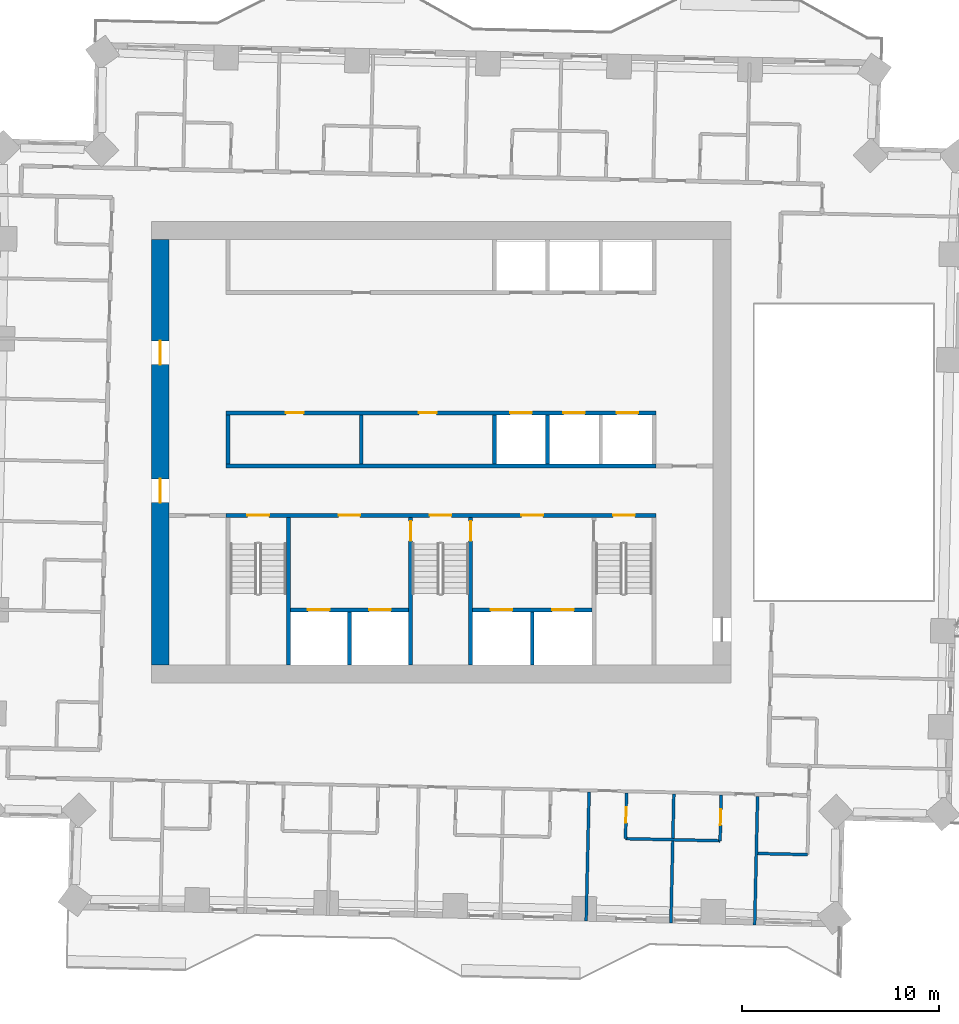
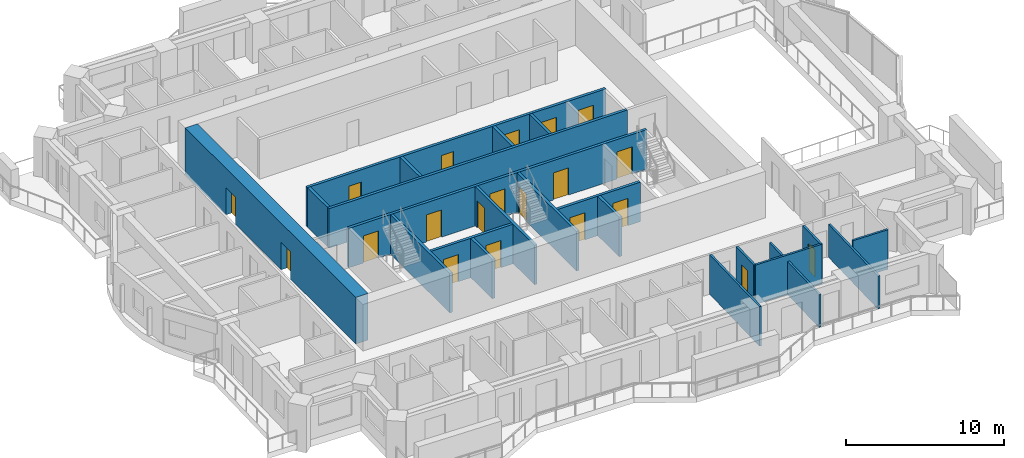
# One storey, part 6 of 14: 22 walls, 20 doors, 20 openings.
"""IFC4 building model written with IfcOpenShell, lengths in metres."""

from ifc_helpers import new_model, si_unit, direction, frame, frame_2d, origin, place, context, subcontext, project, spatial, rectangle, extrude, material, layer, layer_set, type_object, element, fill, save


model = new_model("IFC4")

# Units and contexts
model_context = context("Model", 3, precision=1e-05, world=origin(), true_north=direction((0.0, 1.0)))
body_context = subcontext(model_context, "Body", "Model", "MODEL_VIEW")
ifc_project = project(units=[si_unit("LENGTHUNIT", "METRE"), si_unit("AREAUNIT", "SQUARE_METRE"), si_unit("VOLUMEUNIT", "CUBIC_METRE"), si_unit("PLANEANGLEUNIT", "RADIAN"), si_unit("MASSUNIT", "GRAM", prefix="KILO")], contexts=[model_context])

# Site, building, storey
site_placement = place(None, origin())
site = spatial("IfcSite", under=ifc_project, at=site_placement, CompositionType="ELEMENT")
building_placement = place(site_placement, origin())
building = spatial("IfcBuilding", under=site, at=building_placement, Name="Mangrove Gate Tower", CompositionType="ELEMENT")
storey_placement = place(building_placement, frame((0.0, 0.0, 159.89990234375)))
storey = spatial("IfcBuildingStorey", under=building, at=storey_placement, Name="L40", CompositionType="ELEMENT", Elevation=159.89990234375)

# Walls
ifc_material_1 = material(Name="Concrete C32/40", Category="concrete")
ifc_layer_1 = layer(ifc_material_1, 0.199951171875)
ifc_layer_set_1 = layer_set([ifc_layer_1], Name="Core room wall 200 C32/40")
wall_type_1 = type_object("IfcWallType", Name="Core room wall 200 C32/40", PredefinedType="STANDARD", material=ifc_layer_set_1)
for number, where, z_axis, x_axis, name in (
    (1, (-10.800048828125, -0.60009765625, 0.0), (0.0, 0.0, 1.0), (0.0, 1.0, 0.0), "WALL-L40-CORE-19"),
    (2, (-4.050048828125, -0.60009765625, 0.0), (0.0, 0.0, 1.0), (0.0, 1.0, 0.0), "WALL-L40-CORE-20"),
):
    element("IfcWall", number, at=place(storey_placement, frame(where, z_axis=z_axis, x_axis=x_axis)), inside=storey, type_object=wall_type_1, Name=name, PredefinedType="STANDARD", context=body_context, shape_type="SweptSolid", body=[
        extrude(rectangle(XDim=2.5, YDim=0.199951171875, at=frame_2d((1.25, 0.0))), origin(), (0.0, 0.0, 1.0), 3.050048828125),
    ])
ifc_material_2 = material(Name="Concrete C60/75", Category="concrete")
ifc_layer_2 = layer(ifc_material_2, 0.199951171875)
ifc_layer_set_2 = layer_set([ifc_layer_2], Name="Core shaft wall 200 C60/75")
wall_type_2 = type_object("IfcWallType", Name="Core shaft wall 200 C60/75", PredefinedType="SHEAR", material=ifc_layer_set_2)
wall_1_placement = place(storey_placement, frame((-10.89990234375, -0.699951171875, 0.0), z_axis=(0.0, 0.0, 1.0), x_axis=(1.0, 0.0, 0.0)))
element("IfcWall", 3, at=wall_1_placement, inside=storey, type_object=wall_type_2, Name="WALL-L40-CORE-6", PredefinedType="SHEAR", context=body_context, shape_type="SweptSolid", body=[
    extrude(rectangle(XDim=21.7998046875, YDim=0.199951171875, at=frame_2d((10.89990234375, 0.0))), origin(), (0.0, 0.0, 1.0), 3.050048828125),
])

# Wall, openings, doors
wall_2_placement = place(storey_placement, frame((-10.89990234375, 2.0, 0.0), z_axis=(0.0, 0.0, 1.0), x_axis=(1.0, 0.0, 0.0)))
wall_2 = element("IfcWall", 4, at=wall_2_placement, inside=storey, type_object=wall_type_2, Name="WALL-L40-CORE-7", PredefinedType="SHEAR", context=body_context, shape_type="SweptSolid", body=[
    extrude(rectangle(XDim=21.7998046875, YDim=0.199951171875, at=frame_2d((10.89990234375, 0.0))), origin(), (0.0, 0.0, 1.0), 3.050048828125),
])
opening_1_placement = place(wall_2_placement, frame((14.39990234375, 0.0, 0.0)))
opening_1 = element("IfcOpeningElement", 5, at=opening_1_placement, cuts=wall_2, Name="Opening LD", PredefinedType="OPENING", context=body_context, shape_type="SweptSolid", body=[
    extrude(rectangle(XDim=1.10009765625, YDim=2.10009765625, at=frame_2d((0.550048828125, 1.050048828125))), frame((0.0, 0.10986328125, 0.0), z_axis=(0.0, -1.0, 0.0), x_axis=(1.0, 0.0, 0.0)), (0.0, 0.0, 1.0), 0.219970703125),
])
opening_2_placement = place(wall_2_placement, frame((17.10009765625, 0.0, 0.0)))
opening_2 = element("IfcOpeningElement", 6, at=opening_2_placement, cuts=wall_2, Name="Opening LD", PredefinedType="OPENING", context=body_context, shape_type="SweptSolid", body=[
    extrude(rectangle(XDim=1.10009765625, YDim=2.10009765625, at=frame_2d((0.550048828125, 1.050048828125))), frame((0.0, 0.10986328125, 0.0), z_axis=(0.0, -1.0, 0.0), x_axis=(1.0, 0.0, 0.0)), (0.0, 0.0, 1.0), 0.219970703125),
])
opening_3_placement = place(wall_2_placement, frame((19.800048828125, 0.0, 0.0)))
opening_3 = element("IfcOpeningElement", 7, at=opening_3_placement, cuts=wall_2, Name="Opening LD", PredefinedType="OPENING", context=body_context, shape_type="SweptSolid", body=[
    extrude(rectangle(XDim=1.10009765625, YDim=2.10009765625, at=frame_2d((0.550048828125, 1.050048828125))), frame((0.0, 0.10986328125, 0.0), z_axis=(0.0, -1.0, 0.0), x_axis=(1.0, 0.0, 0.0)), (0.0, 0.0, 1.0), 0.219970703125),
])
opening_4_placement = place(wall_2_placement, frame((3.02490234375, 0.0, 0.0)))
opening_4 = element("IfcOpeningElement", 8, at=opening_4_placement, cuts=wall_2, Name="Opening KD", PredefinedType="OPENING", context=body_context, shape_type="SweptSolid", body=[
    extrude(rectangle(XDim=0.89990234375, YDim=2.10009765625, at=frame_2d((0.449951171875, 1.050048828125))), frame((0.0, 0.10986328125, 0.0), z_axis=(0.0, -1.0, 0.0), x_axis=(1.0, 0.0, 0.0)), (0.0, 0.0, 1.0), 0.219970703125),
])
opening_5_placement = place(wall_2_placement, frame((9.77490234375, 0.0, 0.0)))
opening_5 = element("IfcOpeningElement", 9, at=opening_5_placement, cuts=wall_2, Name="Opening KD", PredefinedType="OPENING", context=body_context, shape_type="SweptSolid", body=[
    extrude(rectangle(XDim=0.89990234375, YDim=2.10009765625, at=frame_2d((0.449951171875, 1.050048828125))), frame((0.0, 0.10986328125, 0.0), z_axis=(0.0, -1.0, 0.0), x_axis=(1.0, 0.0, 0.0)), (0.0, 0.0, 1.0), 0.219970703125),
])
ifc_material_3 = material(Name="Fire-rated steel door set", Category="steel")
door_type_1 = type_object("IfcDoorType", Name="Core room door FD30S 900x2100", OperationType="SINGLE_SWING_RIGHT", PredefinedType="DOOR", material=ifc_material_3)
door_1_placement = place(opening_4_placement, origin())
door_1 = element("IfcDoor", 10, at=door_1_placement, inside=storey, type_object=door_type_1, Name="Core room door Pantry store", OperationType="SINGLE_SWING_RIGHT", OverallHeight=2.10009765625, OverallWidth=0.89990234375, PredefinedType="DOOR", context=body_context, shape_type="SweptSolid", body=[
    extrude(rectangle(XDim=0.89990234375, YDim=2.10009765625, at=frame_2d((0.449951171875, 1.050048828125))), frame((0.0, 0.02490234375, 0.0), z_axis=(0.0, -1.0, 0.0), x_axis=(1.0, 0.0, 0.0)), (0.0, 0.0, 1.0), 0.050048828125),
])
fill(opening_4, door_1)
door_2_placement = place(opening_5_placement, origin())
door_2 = element("IfcDoor", 11, at=door_2_placement, inside=storey, type_object=door_type_1, Name="Core room door Cleaner's store", OperationType="SINGLE_SWING_RIGHT", OverallHeight=2.10009765625, OverallWidth=0.89990234375, PredefinedType="DOOR", context=body_context, shape_type="SweptSolid", body=[
    extrude(rectangle(XDim=0.89990234375, YDim=2.10009765625, at=frame_2d((0.449951171875, 1.050048828125))), frame((0.0, 0.02490234375, 0.0), z_axis=(0.0, -1.0, 0.0), x_axis=(1.0, 0.0, 0.0)), (0.0, 0.0, 1.0), 0.050048828125),
])
fill(opening_5, door_2)
ifc_material_4 = material(Name="Stainless steel 316", Category="steel")
door_type_2 = type_object("IfcDoorType", Name="Lift landing door 1100x2100", OperationType="SLIDING_TO_LEFT", PredefinedType="DOOR", material=ifc_material_4)
door_3_placement = place(opening_1_placement, origin())
door_3 = element("IfcDoor", 12, at=door_3_placement, inside=storey, type_object=door_type_2, Name="Landing door LD M01", OperationType="SLIDING_TO_LEFT", OverallHeight=2.10009765625, OverallWidth=1.10009765625, PredefinedType="DOOR", context=body_context, shape_type="SweptSolid", body=[
    extrude(rectangle(XDim=1.10009765625, YDim=2.10009765625, at=frame_2d((0.550048828125, 1.050048828125))), frame((0.0, 0.02490234375, 0.0), z_axis=(0.0, -1.0, 0.0), x_axis=(1.0, 0.0, 0.0)), (0.0, 0.0, 1.0), 0.050048828125),
])
fill(opening_1, door_3)
door_4_placement = place(opening_2_placement, origin())
door_4 = element("IfcDoor", 13, at=door_4_placement, inside=storey, type_object=door_type_2, Name="Landing door LD M02", OperationType="SLIDING_TO_LEFT", OverallHeight=2.10009765625, OverallWidth=1.10009765625, PredefinedType="DOOR", context=body_context, shape_type="SweptSolid", body=[
    extrude(rectangle(XDim=1.10009765625, YDim=2.10009765625, at=frame_2d((0.550048828125, 1.050048828125))), frame((0.0, 0.02490234375, 0.0), z_axis=(0.0, -1.0, 0.0), x_axis=(1.0, 0.0, 0.0)), (0.0, 0.0, 1.0), 0.050048828125),
])
fill(opening_2, door_4)
door_5_placement = place(opening_3_placement, origin())
door_5 = element("IfcDoor", 14, at=door_5_placement, inside=storey, type_object=door_type_2, Name="Landing door LD M03", OperationType="SLIDING_TO_LEFT", OverallHeight=2.10009765625, OverallWidth=1.10009765625, PredefinedType="DOOR", context=body_context, shape_type="SweptSolid", body=[
    extrude(rectangle(XDim=1.10009765625, YDim=2.10009765625, at=frame_2d((0.550048828125, 1.050048828125))), frame((0.0, 0.02490234375, 0.0), z_axis=(0.0, -1.0, 0.0), x_axis=(1.0, 0.0, 0.0)), (0.0, 0.0, 1.0), 0.050048828125),
])
fill(opening_3, door_5)

wall_3_placement = place(storey_placement, frame((-7.64990234375, -8.0, 0.0), z_axis=(0.0, 0.0, 1.0), x_axis=(1.0, 0.0, 0.0)))
wall_3 = element("IfcWall", 15, at=wall_3_placement, inside=storey, type_object=wall_type_2, Name="WALL-L40-CORE-15", PredefinedType="SHEAR", context=body_context, shape_type="SweptSolid", body=[
    extrude(rectangle(XDim=6.0, YDim=0.199951171875, at=frame_2d((3.0, 0.0))), origin(), (0.0, 0.0, 1.0), 3.050048828125),
])
opening_6_placement = place(wall_3_placement, frame((0.89990234375, 0.0, 0.0)))
opening_6 = element("IfcOpeningElement", 16, at=opening_6_placement, cuts=wall_3, Name="Opening LD", PredefinedType="OPENING", context=body_context, shape_type="SweptSolid", body=[
    extrude(rectangle(XDim=1.10009765625, YDim=2.10009765625, at=frame_2d((0.550048828125, 1.050048828125))), frame((0.0, 0.10986328125, 0.0), z_axis=(0.0, -1.0, 0.0), x_axis=(1.0, 0.0, 0.0)), (0.0, 0.0, 1.0), 0.219970703125),
])
opening_7_placement = place(wall_3_placement, frame((4.0, 0.0, 0.0)))
opening_7 = element("IfcOpeningElement", 17, at=opening_7_placement, cuts=wall_3, Name="Opening LD", PredefinedType="OPENING", context=body_context, shape_type="SweptSolid", body=[
    extrude(rectangle(XDim=1.10009765625, YDim=2.10009765625, at=frame_2d((0.550048828125, 1.050048828125))), frame((0.0, 0.10986328125, 0.0), z_axis=(0.0, -1.0, 0.0), x_axis=(1.0, 0.0, 0.0)), (0.0, 0.0, 1.0), 0.219970703125),
])
door_6_placement = place(opening_6_placement, origin())
door_6 = element("IfcDoor", 18, at=door_6_placement, inside=storey, type_object=door_type_2, Name="Landing door LD SVL1", OperationType="SLIDING_TO_LEFT", OverallHeight=2.10009765625, OverallWidth=1.10009765625, PredefinedType="DOOR", context=body_context, shape_type="SweptSolid", body=[
    extrude(rectangle(XDim=1.10009765625, YDim=2.10009765625, at=frame_2d((0.550048828125, 1.050048828125))), frame((0.0, 0.02490234375, 0.0), z_axis=(0.0, -1.0, 0.0), x_axis=(1.0, 0.0, 0.0)), (0.0, 0.0, 1.0), 0.050048828125),
])
fill(opening_6, door_6)
door_7_placement = place(opening_7_placement, origin())
door_7 = element("IfcDoor", 19, at=door_7_placement, inside=storey, type_object=door_type_2, Name="Landing door LD SVL2", OperationType="SLIDING_TO_LEFT", OverallHeight=2.10009765625, OverallWidth=1.10009765625, PredefinedType="DOOR", context=body_context, shape_type="SweptSolid", body=[
    extrude(rectangle(XDim=1.10009765625, YDim=2.10009765625, at=frame_2d((0.550048828125, 1.050048828125))), frame((0.0, 0.02490234375, 0.0), z_axis=(0.0, -1.0, 0.0), x_axis=(1.0, 0.0, 0.0)), (0.0, 0.0, 1.0), 0.050048828125),
])
fill(opening_7, door_7)

# Wall
wall_4_placement = place(storey_placement, frame((-4.64990234375, -10.800048828125, 0.0), z_axis=(0.0, 0.0, 1.0), x_axis=(0.0, 1.0, 0.0)))
element("IfcWall", 20, at=wall_4_placement, inside=storey, type_object=wall_type_2, Name="WALL-L40-CORE-16", PredefinedType="SHEAR", context=body_context, shape_type="SweptSolid", body=[
    extrude(rectangle(XDim=2.699951171875, YDim=0.199951171875, at=frame_2d((1.35009765625, 0.0))), origin(), (0.0, 0.0, 1.0), 3.050048828125),
])

# Wall, openings, doors
wall_5_placement = place(storey_placement, frame((1.60009765625, -8.0, 0.0), z_axis=(0.0, 0.0, 1.0), x_axis=(1.0, 0.0, 0.0)))
wall_5 = element("IfcWall", 21, at=wall_5_placement, inside=storey, type_object=wall_type_2, Name="WALL-L40-CORE-17", PredefinedType="SHEAR", context=body_context, shape_type="SweptSolid", body=[
    extrude(rectangle(XDim=6.0498046875, YDim=0.199951171875, at=frame_2d((3.02490234375, 0.0))), origin(), (0.0, 0.0, 1.0), 3.050048828125),
])
opening_8_placement = place(wall_5_placement, frame((0.91259765625, 0.0, 0.0)))
opening_8 = element("IfcOpeningElement", 22, at=opening_8_placement, cuts=wall_5, Name="Opening LD", PredefinedType="OPENING", context=body_context, shape_type="SweptSolid", body=[
    extrude(rectangle(XDim=1.10009765625, YDim=2.10009765625, at=frame_2d((0.550048828125, 1.050048828125))), frame((0.0, 0.10986328125, 0.0), z_axis=(0.0, -1.0, 0.0), x_axis=(1.0, 0.0, 0.0)), (0.0, 0.0, 1.0), 0.219970703125),
])
opening_9_placement = place(wall_5_placement, frame((4.03759765625, 0.0, 0.0)))
opening_9 = element("IfcOpeningElement", 23, at=opening_9_placement, cuts=wall_5, Name="Opening LD", PredefinedType="OPENING", context=body_context, shape_type="SweptSolid", body=[
    extrude(rectangle(XDim=1.10009765625, YDim=2.10009765625, at=frame_2d((0.550048828125, 1.050048828125))), frame((0.0, 0.10986328125, 0.0), z_axis=(0.0, -1.0, 0.0), x_axis=(1.0, 0.0, 0.0)), (0.0, 0.0, 1.0), 0.219970703125),
])
door_8_placement = place(opening_8_placement, origin())
door_8 = element("IfcDoor", 24, at=door_8_placement, inside=storey, type_object=door_type_2, Name="Landing door LD FFL1", OperationType="SLIDING_TO_LEFT", OverallHeight=2.10009765625, OverallWidth=1.10009765625, PredefinedType="DOOR", context=body_context, shape_type="SweptSolid", body=[
    extrude(rectangle(XDim=1.10009765625, YDim=2.10009765625, at=frame_2d((0.550048828125, 1.050048828125))), frame((0.0, 0.02490234375, 0.0), z_axis=(0.0, -1.0, 0.0), x_axis=(1.0, 0.0, 0.0)), (0.0, 0.0, 1.0), 0.050048828125),
])
fill(opening_8, door_8)
door_9_placement = place(opening_9_placement, origin())
door_9 = element("IfcDoor", 25, at=door_9_placement, inside=storey, type_object=door_type_2, Name="Landing door LD FFL2", OperationType="SLIDING_TO_LEFT", OverallHeight=2.10009765625, OverallWidth=1.10009765625, PredefinedType="DOOR", context=body_context, shape_type="SweptSolid", body=[
    extrude(rectangle(XDim=1.10009765625, YDim=2.10009765625, at=frame_2d((0.550048828125, 1.050048828125))), frame((0.0, 0.02490234375, 0.0), z_axis=(0.0, -1.0, 0.0), x_axis=(1.0, 0.0, 0.0)), (0.0, 0.0, 1.0), 0.050048828125),
])
fill(opening_9, door_9)

# Walls
wall_6_placement = place(storey_placement, frame((4.625, -10.800048828125, 0.0), z_axis=(0.0, 0.0, 1.0), x_axis=(0.0, 1.0, 0.0)))
element("IfcWall", 26, at=wall_6_placement, inside=storey, type_object=wall_type_2, Name="WALL-L40-CORE-18", PredefinedType="SHEAR", context=body_context, shape_type="SweptSolid", body=[
    extrude(rectangle(XDim=2.699951171875, YDim=0.199951171875, at=frame_2d((1.35009765625, 0.0))), origin(), (0.0, 0.0, 1.0), 3.050048828125),
])
for number, where, z_axis, x_axis, name in (
    (27, (2.699951171875, -0.60009765625, 0.0), (0.0, 0.0, 1.0), (0.0, 1.0, 0.0), "WALL-L40-CORE-21"),
    (28, (5.39990234375, -0.60009765625, 0.0), (0.0, 0.0, 1.0), (0.0, 1.0, 0.0), "WALL-L40-CORE-22"),
):
    element("IfcWall", number, at=place(storey_placement, frame(where, z_axis=z_axis, x_axis=x_axis)), inside=storey, type_object=wall_type_2, Name=name, PredefinedType="SHEAR", context=body_context, shape_type="SweptSolid", body=[
        extrude(rectangle(XDim=2.5, YDim=0.199951171875, at=frame_2d((1.25, 0.0))), origin(), (0.0, 0.0, 1.0), 3.050048828125),
    ])

# Wall, openings, doors
ifc_material_5 = material(Name="Concrete C60/75", Category="concrete")
ifc_layer_3 = layer(ifc_material_5, 0.199951171875)
ifc_layer_set_3 = layer_set([ifc_layer_3], Name="Core stair wall 200 C60/75")
wall_type_3 = type_object("IfcWallType", Name="Core stair wall 200 C60/75", PredefinedType="SHEAR", material=ifc_layer_set_3)
wall_7_placement = place(storey_placement, frame((-10.89990234375, -3.199951171875, 0.0), z_axis=(0.0, 0.0, 1.0), x_axis=(1.0, 0.0, 0.0)))
wall_7 = element("IfcWall", 29, at=wall_7_placement, inside=storey, type_object=wall_type_3, Name="WALL-L40-CORE-5", PredefinedType="SHEAR", context=body_context, shape_type="SweptSolid", body=[
    extrude(rectangle(XDim=21.7998046875, YDim=0.199951171875, at=frame_2d((10.89990234375, 0.0))), origin(), (0.0, 0.0, 1.0), 3.050048828125),
])
opening_10_placement = place(wall_7_placement, frame((1.074951171875, 0.0, 0.0)))
opening_10 = element("IfcOpeningElement", 30, at=opening_10_placement, cuts=wall_7, Name="Opening STD11", PredefinedType="OPENING", context=body_context, shape_type="SweptSolid", body=[
    extrude(rectangle(XDim=1.10009765625, YDim=2.10009765625, at=frame_2d((0.550048828125, 1.050048828125))), frame((0.0, 0.10986328125, 0.0), z_axis=(0.0, -1.0, 0.0), x_axis=(1.0, 0.0, 0.0)), (0.0, 0.0, 1.0), 0.219970703125),
])
opening_11_placement = place(wall_7_placement, frame((10.324951171875, 0.0, 0.0)))
opening_11 = element("IfcOpeningElement", 31, at=opening_11_placement, cuts=wall_7, Name="Opening STD11", PredefinedType="OPENING", context=body_context, shape_type="SweptSolid", body=[
    extrude(rectangle(XDim=1.10009765625, YDim=2.10009765625, at=frame_2d((0.550048828125, 1.050048828125))), frame((0.0, 0.10986328125, 0.0), z_axis=(0.0, -1.0, 0.0), x_axis=(1.0, 0.0, 0.0)), (0.0, 0.0, 1.0), 0.219970703125),
])
opening_12_placement = place(wall_7_placement, frame((19.625, 0.0, 0.0)))
opening_12 = element("IfcOpeningElement", 32, at=opening_12_placement, cuts=wall_7, Name="Opening STD11", PredefinedType="OPENING", context=body_context, shape_type="SweptSolid", body=[
    extrude(rectangle(XDim=1.10009765625, YDim=2.10009765625, at=frame_2d((0.550048828125, 1.050048828125))), frame((0.0, 0.10986328125, 0.0), z_axis=(0.0, -1.0, 0.0), x_axis=(1.0, 0.0, 0.0)), (0.0, 0.0, 1.0), 0.219970703125),
])
opening_13_placement = place(wall_7_placement, frame((5.699951171875, 0.0, 0.0)))
opening_13 = element("IfcOpeningElement", 33, at=opening_13_placement, cuts=wall_7, Name="Opening FL", PredefinedType="OPENING", context=body_context, shape_type="SweptSolid", body=[
    extrude(rectangle(XDim=1.10009765625, YDim=2.10009765625, at=frame_2d((0.550048828125, 1.050048828125))), frame((0.0, 0.10986328125, 0.0), z_axis=(0.0, -1.0, 0.0), x_axis=(1.0, 0.0, 0.0)), (0.0, 0.0, 1.0), 0.219970703125),
])
opening_14_placement = place(wall_7_placement, frame((14.97509765625, 0.0, 0.0)))
opening_14 = element("IfcOpeningElement", 34, at=opening_14_placement, cuts=wall_7, Name="Opening FL", PredefinedType="OPENING", context=body_context, shape_type="SweptSolid", body=[
    extrude(rectangle(XDim=1.10009765625, YDim=2.10009765625, at=frame_2d((0.550048828125, 1.050048828125))), frame((0.0, 0.10986328125, 0.0), z_axis=(0.0, -1.0, 0.0), x_axis=(1.0, 0.0, 0.0)), (0.0, 0.0, 1.0), 0.219970703125),
])
ifc_material_6 = material(Name="Fire-rated steel door set", Category="steel")
door_type_3 = type_object("IfcDoorType", Name="Lobby door FD60 1100x2100", OperationType="SINGLE_SWING_LEFT", PredefinedType="DOOR", material=ifc_material_6)
door_10_placement = place(opening_13_placement, origin())
door_10 = element("IfcDoor", 35, at=door_10_placement, inside=storey, type_object=door_type_3, Name="Lobby door service lobby", OperationType="SINGLE_SWING_LEFT", OverallHeight=2.10009765625, OverallWidth=1.10009765625, PredefinedType="DOOR", context=body_context, shape_type="SweptSolid", body=[
    extrude(rectangle(XDim=1.10009765625, YDim=2.10009765625, at=frame_2d((0.550048828125, 1.050048828125))), frame((0.0, 0.02490234375, 0.0), z_axis=(0.0, -1.0, 0.0), x_axis=(1.0, 0.0, 0.0)), (0.0, 0.0, 1.0), 0.050048828125),
])
fill(opening_13, door_10)
door_11_placement = place(opening_14_placement, origin())
door_11 = element("IfcDoor", 36, at=door_11_placement, inside=storey, type_object=door_type_3, Name="Lobby door fire-fighting lobby", OperationType="SINGLE_SWING_LEFT", OverallHeight=2.10009765625, OverallWidth=1.10009765625, PredefinedType="DOOR", context=body_context, shape_type="SweptSolid", body=[
    extrude(rectangle(XDim=1.10009765625, YDim=2.10009765625, at=frame_2d((0.550048828125, 1.050048828125))), frame((0.0, 0.02490234375, 0.0), z_axis=(0.0, -1.0, 0.0), x_axis=(1.0, 0.0, 0.0)), (0.0, 0.0, 1.0), 0.050048828125),
])
fill(opening_14, door_11)
ifc_material_7 = material(Name="Fire-rated steel door set", Category="steel")
door_type_4 = type_object("IfcDoorType", Name="Stair door FD60 1100x2100", OperationType="SINGLE_SWING_RIGHT", PredefinedType="DOOR", material=ifc_material_7)
door_12_placement = place(opening_10_placement, origin())
door_12 = element("IfcDoor", 37, at=door_12_placement, inside=storey, type_object=door_type_4, Name="Stair door Stair 1", OperationType="SINGLE_SWING_RIGHT", OverallHeight=2.10009765625, OverallWidth=1.10009765625, PredefinedType="DOOR", context=body_context, shape_type="SweptSolid", body=[
    extrude(rectangle(XDim=1.10009765625, YDim=2.10009765625, at=frame_2d((0.550048828125, 1.050048828125))), frame((0.0, 0.02490234375, 0.0), z_axis=(0.0, -1.0, 0.0), x_axis=(1.0, 0.0, 0.0)), (0.0, 0.0, 1.0), 0.050048828125),
])
fill(opening_10, door_12)
door_13_placement = place(opening_11_placement, origin())
door_13 = element("IfcDoor", 38, at=door_13_placement, inside=storey, type_object=door_type_4, Name="Stair door Stair 2", OperationType="SINGLE_SWING_RIGHT", OverallHeight=2.10009765625, OverallWidth=1.10009765625, PredefinedType="DOOR", context=body_context, shape_type="SweptSolid", body=[
    extrude(rectangle(XDim=1.10009765625, YDim=2.10009765625, at=frame_2d((0.550048828125, 1.050048828125))), frame((0.0, 0.02490234375, 0.0), z_axis=(0.0, -1.0, 0.0), x_axis=(1.0, 0.0, 0.0)), (0.0, 0.0, 1.0), 0.050048828125),
])
fill(opening_11, door_13)
door_14_placement = place(opening_12_placement, origin())
door_14 = element("IfcDoor", 39, at=door_14_placement, inside=storey, type_object=door_type_4, Name="Stair door Stair 3", OperationType="SINGLE_SWING_RIGHT", OverallHeight=2.10009765625, OverallWidth=1.10009765625, PredefinedType="DOOR", context=body_context, shape_type="SweptSolid", body=[
    extrude(rectangle(XDim=1.10009765625, YDim=2.10009765625, at=frame_2d((0.550048828125, 1.050048828125))), frame((0.0, 0.02490234375, 0.0), z_axis=(0.0, -1.0, 0.0), x_axis=(1.0, 0.0, 0.0)), (0.0, 0.0, 1.0), 0.050048828125),
])
fill(opening_12, door_14)

# Wall
wall_8_placement = place(storey_placement, frame((-7.75, -10.800048828125, 0.0), z_axis=(0.0, 0.0, 1.0), x_axis=(0.0, 1.0, 0.0)))
element("IfcWall", 40, at=wall_8_placement, inside=storey, type_object=wall_type_3, Name="WALL-L40-CORE-10", PredefinedType="SHEAR", context=body_context, shape_type="SweptSolid", body=[
    extrude(rectangle(XDim=7.5, YDim=0.199951171875, at=frame_2d((3.75, 0.0))), origin(), (0.0, 0.0, 1.0), 3.050048828125),
])

# Wall, opening, door
wall_9_placement = place(storey_placement, frame((-1.550048828125, -10.800048828125, 0.0), z_axis=(0.0, 0.0, 1.0), x_axis=(0.0, 1.0, 0.0)))
wall_9 = element("IfcWall", 41, at=wall_9_placement, inside=storey, type_object=wall_type_3, Name="WALL-L40-CORE-11", PredefinedType="SHEAR", context=body_context, shape_type="SweptSolid", body=[
    extrude(rectangle(XDim=7.5, YDim=0.199951171875, at=frame_2d((3.75, 0.0))), origin(), (0.0, 0.0, 1.0), 3.050048828125),
])
opening_15_placement = place(wall_9_placement, frame((6.300048828125, 0.0, 0.0)))
opening_15 = element("IfcOpeningElement", 42, at=opening_15_placement, cuts=wall_9, Name="Opening STD10", PredefinedType="OPENING", context=body_context, shape_type="SweptSolid", body=[
    extrude(rectangle(XDim=1.0, YDim=2.10009765625, at=frame_2d((0.5, 1.050048828125))), frame((0.0, 0.10986328125, 0.0), z_axis=(0.0, -1.0, 0.0), x_axis=(1.0, 0.0, 0.0)), (0.0, 0.0, 1.0), 0.219970703125),
])
ifc_material_8 = material(Name="Fire-rated steel door set", Category="steel")
door_type_5 = type_object("IfcDoorType", Name="Stair door FD60 1000x2100", OperationType="SINGLE_SWING_RIGHT", PredefinedType="DOOR", material=ifc_material_8)
door_15_placement = place(opening_15_placement, origin())
door_15 = element("IfcDoor", 43, at=door_15_placement, inside=storey, type_object=door_type_5, Name="Stair door Stair 2 from service lobby", OperationType="SINGLE_SWING_RIGHT", OverallHeight=2.10009765625, OverallWidth=1.0, PredefinedType="DOOR", context=body_context, shape_type="SweptSolid", body=[
    extrude(rectangle(XDim=1.0, YDim=2.10009765625, at=frame_2d((0.5, 1.050048828125))), frame((0.0, 0.02490234375, 0.0), z_axis=(0.0, -1.0, 0.0), x_axis=(1.0, 0.0, 0.0)), (0.0, 0.0, 1.0), 0.050048828125),
])
fill(opening_15, door_15)

wall_10_placement = place(storey_placement, frame((1.5, -10.800048828125, 0.0), z_axis=(0.0, 0.0, 1.0), x_axis=(0.0, 1.0, 0.0)))
wall_10 = element("IfcWall", 44, at=wall_10_placement, inside=storey, type_object=wall_type_3, Name="WALL-L40-CORE-12", PredefinedType="SHEAR", context=body_context, shape_type="SweptSolid", body=[
    extrude(rectangle(XDim=7.5, YDim=0.199951171875, at=frame_2d((3.75, 0.0))), origin(), (0.0, 0.0, 1.0), 3.050048828125),
])
opening_16_placement = place(wall_10_placement, frame((6.300048828125, 0.0, 0.0)))
opening_16 = element("IfcOpeningElement", 45, at=opening_16_placement, cuts=wall_10, Name="Opening STD10", PredefinedType="OPENING", context=body_context, shape_type="SweptSolid", body=[
    extrude(rectangle(XDim=1.0, YDim=2.10009765625, at=frame_2d((0.5, 1.050048828125))), frame((0.0, 0.10986328125, 0.0), z_axis=(0.0, -1.0, 0.0), x_axis=(1.0, 0.0, 0.0)), (0.0, 0.0, 1.0), 0.219970703125),
])
door_16_placement = place(opening_16_placement, origin())
door_16 = element("IfcDoor", 46, at=door_16_placement, inside=storey, type_object=door_type_5, Name="Stair door Stair 2 from fire-fighting lobby", OperationType="SINGLE_SWING_RIGHT", OverallHeight=2.10009765625, OverallWidth=1.0, PredefinedType="DOOR", context=body_context, shape_type="SweptSolid", body=[
    extrude(rectangle(XDim=1.0, YDim=2.10009765625, at=frame_2d((0.5, 1.050048828125))), frame((0.0, 0.02490234375, 0.0), z_axis=(0.0, -1.0, 0.0), x_axis=(1.0, 0.0, 0.0)), (0.0, 0.0, 1.0), 0.050048828125),
])
fill(opening_16, door_16)

# Wall, openings, doors
ifc_material_9 = material(Name="Concrete C60/75", Category="concrete")
ifc_layer_4 = layer(ifc_material_9, 0.89990234375)
ifc_layer_set_4 = layer_set([ifc_layer_4], Name="Core wall 900 C60/75")
wall_type_4 = type_object("IfcWallType", Name="Core wall 900 C60/75", PredefinedType="SHEAR", material=ifc_layer_set_4)
wall_11_placement = place(storey_placement, frame((-14.25, -10.800048828125, 0.0), z_axis=(0.0, 0.0, 1.0), x_axis=(0.0, 1.0, 0.0)))
wall_11 = element("IfcWall", 47, at=wall_11_placement, inside=storey, type_object=wall_type_4, Name="WALL-L40-CORE-3", PredefinedType="SHEAR", context=body_context, shape_type="SweptSolid", body=[
    extrude(rectangle(XDim=21.60009765625, YDim=0.89990234375, at=frame_2d((10.800048828125, 0.0))), origin(), (0.0, 0.0, 1.0), 3.60009765625),
])
opening_17_placement = place(wall_11_placement, frame((8.25, 0.0, 0.0)))
opening_17 = element("IfcOpeningElement", 48, at=opening_17_placement, cuts=wall_11, Name="Opening CD", PredefinedType="OPENING", context=body_context, shape_type="SweptSolid", body=[
    extrude(rectangle(XDim=1.199951171875, YDim=2.10009765625, at=frame_2d((0.60009765625, 1.050048828125))), frame((0.0, 0.4599609375, 0.0), z_axis=(0.0, -1.0, 0.0), x_axis=(1.0, 0.0, 0.0)), (0.0, 0.0, 1.0), 0.919921875),
])
opening_18_placement = place(wall_11_placement, frame((15.25, 0.0, 0.0)))
opening_18 = element("IfcOpeningElement", 49, at=opening_18_placement, cuts=wall_11, Name="Opening CD", PredefinedType="OPENING", context=body_context, shape_type="SweptSolid", body=[
    extrude(rectangle(XDim=1.199951171875, YDim=2.10009765625, at=frame_2d((0.60009765625, 1.050048828125))), frame((0.0, 0.4599609375, 0.0), z_axis=(0.0, -1.0, 0.0), x_axis=(1.0, 0.0, 0.0)), (0.0, 0.0, 1.0), 0.919921875),
])
ifc_material_10 = material(Name="Fire-rated steel door set", Category="steel")
door_type_6 = type_object("IfcDoorType", Name="Core ring door FD60 1200x2100", OperationType="DOUBLE_DOOR_SINGLE_SWING", PredefinedType="DOOR", material=ifc_material_10)
door_17_placement = place(opening_17_placement, origin())
door_17 = element("IfcDoor", 50, at=door_17_placement, inside=storey, type_object=door_type_6, Name="Core ring door W1", OperationType="DOUBLE_DOOR_SINGLE_SWING", OverallHeight=2.10009765625, OverallWidth=1.199951171875, PredefinedType="DOOR", context=body_context, shape_type="SweptSolid", body=[
    extrude(rectangle(XDim=1.199951171875, YDim=2.10009765625, at=frame_2d((0.60009765625, 1.050048828125))), frame((0.0, 0.02490234375, 0.0), z_axis=(0.0, -1.0, 0.0), x_axis=(1.0, 0.0, 0.0)), (0.0, 0.0, 1.0), 0.050048828125),
])
fill(opening_17, door_17)
door_18_placement = place(opening_18_placement, origin())
door_18 = element("IfcDoor", 51, at=door_18_placement, inside=storey, type_object=door_type_6, Name="Core ring door W2", OperationType="DOUBLE_DOOR_SINGLE_SWING", OverallHeight=2.10009765625, OverallWidth=1.199951171875, PredefinedType="DOOR", context=body_context, shape_type="SweptSolid", body=[
    extrude(rectangle(XDim=1.199951171875, YDim=2.10009765625, at=frame_2d((0.60009765625, 1.050048828125))), frame((0.0, 0.02490234375, 0.0), z_axis=(0.0, -1.0, 0.0), x_axis=(1.0, 0.0, 0.0)), (0.0, 0.0, 1.0), 0.050048828125),
])
fill(opening_18, door_18)

# Walls
ifc_material_11 = material(Name="Gypsum board on steel stud, EI 60", Category="steel")
ifc_layer_5 = layer(ifc_material_11, 0.14990234375)
ifc_layer_set_5 = layer_set([ifc_layer_5], Name="Party wall 150 EI 60")
wall_type_5 = type_object("IfcWallType", Name="Party wall 150 EI 60", PredefinedType="PARTITIONING", material=ifc_layer_set_5)
wall_12_placement = place(storey_placement, frame((7.35888671875, -23.785888671875, 0.0), z_axis=(0.0, 0.0, 1.0), x_axis=(0.022772202332, 0.999740679777, 0.0)))
element("IfcWall", 52, at=wall_12_placement, inside=storey, type_object=wall_type_5, Name="WALL-L40-006", PredefinedType="PARTITIONING", context=body_context, shape_type="SweptSolid", body=[
    extrude(rectangle(XDim=6.550537109375, YDim=0.14990234375, at=frame_2d((3.275390625, 0.0))), origin(), (0.0, 0.0, 1.0), 3.050048828125),
])
wall_13_placement = place(storey_placement, frame((11.657958984375, -23.884033203125, 0.0), z_axis=(0.0, 0.0, 1.0), x_axis=(0.022734104141, 0.999741546855, 0.0)))
element("IfcWall", 53, at=wall_13_placement, inside=storey, type_object=wall_type_5, Name="WALL-L40-007", PredefinedType="PARTITIONING", context=body_context, shape_type="SweptSolid", body=[
    extrude(rectangle(XDim=6.55078125, YDim=0.14990234375, at=frame_2d((3.275390625, 0.0))), origin(), (0.0, 0.0, 1.0), 2.550048828125),
])
wall_14_placement = place(storey_placement, frame((15.906982421875, -23.97998046875, 0.0), z_axis=(0.0, 0.0, 1.0), x_axis=(0.022672114006, 0.999742954587, 0.0)))
element("IfcWall", 54, at=wall_14_placement, inside=storey, type_object=wall_type_5, Name="WALL-L40-008", PredefinedType="PARTITIONING", context=body_context, shape_type="SweptSolid", body=[
    extrude(rectangle(XDim=6.525634765625, YDim=0.14990234375, at=frame_2d((3.2626953125, 0.0))), origin(), (0.0, 0.0, 1.0), 2.550048828125),
])
wall_15_placement = place(storey_placement, frame((16.06396484375, -20.35302734375, 0.0), z_axis=(0.0, 0.0, 1.0), x_axis=(0.999746356616, -0.022521599255, 0.0)))
element("IfcWall", 55, at=wall_15_placement, inside=storey, type_object=wall_type_5, Name="WALL-L40-012", PredefinedType="PARTITIONING", context=body_context, shape_type="SweptSolid", body=[
    extrude(rectangle(XDim=2.52587890625, YDim=0.14990234375, at=frame_2d((1.262939453125, 0.0))), origin(), (0.0, 0.0, 1.0), 3.050048828125),
])

# Wall, opening, door
wall_16_placement = place(storey_placement, frame((9.35498046875, -19.60498046875, 0.0), z_axis=(0.0, 0.0, 1.0), x_axis=(0.022361308448, 0.999749954681, 0.0)))
wall_16 = element("IfcWall", 56, at=wall_16_placement, inside=storey, type_object=wall_type_5, Name="WALL-L40-018", PredefinedType="PARTITIONING", context=body_context, shape_type="SweptSolid", body=[
    extrude(rectangle(XDim=2.325439453125, YDim=0.14990234375, at=frame_2d((1.16259765625, 0.0))), origin(), (0.0, 0.0, 1.0), 3.050048828125),
])
opening_19_placement = place(wall_16_placement, frame((0.800048828125, 0.0, 0.0)))
opening_19 = element("IfcOpeningElement", 57, at=opening_19_placement, cuts=wall_16, Name="Opening ED", PredefinedType="OPENING", context=body_context, shape_type="SweptSolid", body=[
    extrude(rectangle(XDim=0.800048828125, YDim=2.10009765625, at=frame_2d((0.39990234375, 1.050048828125))), frame((0.0, 0.0849609375, 0.0), z_axis=(0.0, -1.0, 0.0), x_axis=(1.0, 0.0, 0.0)), (0.0, 0.0, 1.0), 0.169921875),
])
ifc_material_12 = material(Name="Timber door leaf", Category="wood")
door_type_7 = type_object("IfcDoorType", Name="En-suite door 800", OperationType="SINGLE_SWING_LEFT", PredefinedType="DOOR", material=ifc_material_12)
door_19_placement = place(opening_19_placement, origin())
door_19 = element("IfcDoor", 58, at=door_19_placement, inside=storey, type_object=door_type_7, Name="DOOR-L40-ENS-c206", OperationType="SINGLE_SWING_RIGHT", OverallHeight=2.10009765625, OverallWidth=0.800048828125, PredefinedType="DOOR", context=body_context, shape_type="SweptSolid", body=[
    extrude(rectangle(XDim=0.800048828125, YDim=2.10009765625, at=frame_2d((0.39990234375, 1.050048828125))), frame((0.0, 0.02490234375, 0.0), z_axis=(0.0, -1.0, 0.0), x_axis=(1.0, 0.0, 0.0)), (0.0, 0.0, 1.0), 0.050048828125),
])
fill(opening_19, door_19)

wall_17_placement = place(storey_placement, frame((14.153076171875, -19.712890625, 0.0), z_axis=(0.0, 0.0, 1.0), x_axis=(0.02279059109, 0.999740260747, 0.0)))
wall_17 = element("IfcWall", 59, at=wall_17_placement, inside=storey, type_object=wall_type_5, Name="WALL-L40-019", PredefinedType="PARTITIONING", context=body_context, shape_type="SweptSolid", body=[
    extrude(rectangle(XDim=2.324462890625, YDim=0.14990234375, at=frame_2d((1.162109375, 0.0))), origin(), (0.0, 0.0, 1.0), 3.050048828125),
])
opening_20_placement = place(wall_17_placement, frame((0.800048828125, 0.0, 0.0)))
opening_20 = element("IfcOpeningElement", 60, at=opening_20_placement, cuts=wall_17, Name="Opening ED", PredefinedType="OPENING", context=body_context, shape_type="SweptSolid", body=[
    extrude(rectangle(XDim=0.800048828125, YDim=2.10009765625, at=frame_2d((0.39990234375, 1.050048828125))), frame((0.0, 0.0849609375, 0.0), z_axis=(0.0, -1.0, 0.0), x_axis=(1.0, 0.0, 0.0)), (0.0, 0.0, 1.0), 0.169921875),
])
door_20_placement = place(opening_20_placement, origin())
door_20 = element("IfcDoor", 61, at=door_20_placement, inside=storey, type_object=door_type_7, Name="DOOR-L40-ENS-c307", OperationType="SINGLE_SWING_LEFT", OverallHeight=2.10009765625, OverallWidth=0.800048828125, PredefinedType="DOOR", context=body_context, shape_type="SweptSolid", body=[
    extrude(rectangle(XDim=0.800048828125, YDim=2.10009765625, at=frame_2d((0.39990234375, 1.050048828125))), frame((0.0, 0.02490234375, 0.0), z_axis=(0.0, -1.0, 0.0), x_axis=(1.0, 0.0, 0.0)), (0.0, 0.0, 1.0), 0.050048828125),
])
fill(opening_20, door_20)

# Wall
wall_18_placement = place(storey_placement, frame((9.35498046875, -19.60107421875, 0.0), z_axis=(0.0, 0.0, 1.0), x_axis=(0.999747294078, -0.022479946278, 0.0)))
element("IfcWall", 62, at=wall_18_placement, inside=storey, type_object=wall_type_5, Name="WALL-L40-023", PredefinedType="PARTITIONING", context=body_context, shape_type="SweptSolid", body=[
    extrude(rectangle(XDim=4.80029296875, YDim=0.14990234375, at=frame_2d((2.400146484375, 0.0))), origin(), (0.0, 0.0, 1.0), 3.050048828125),
])

save(model, "model.ifc")
